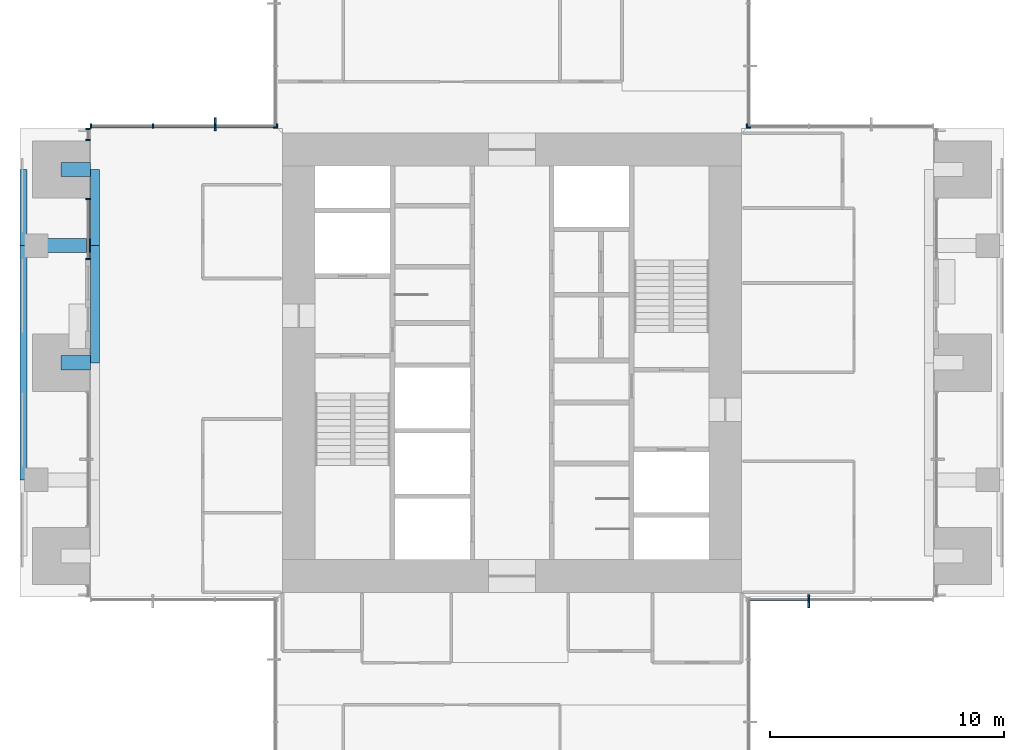
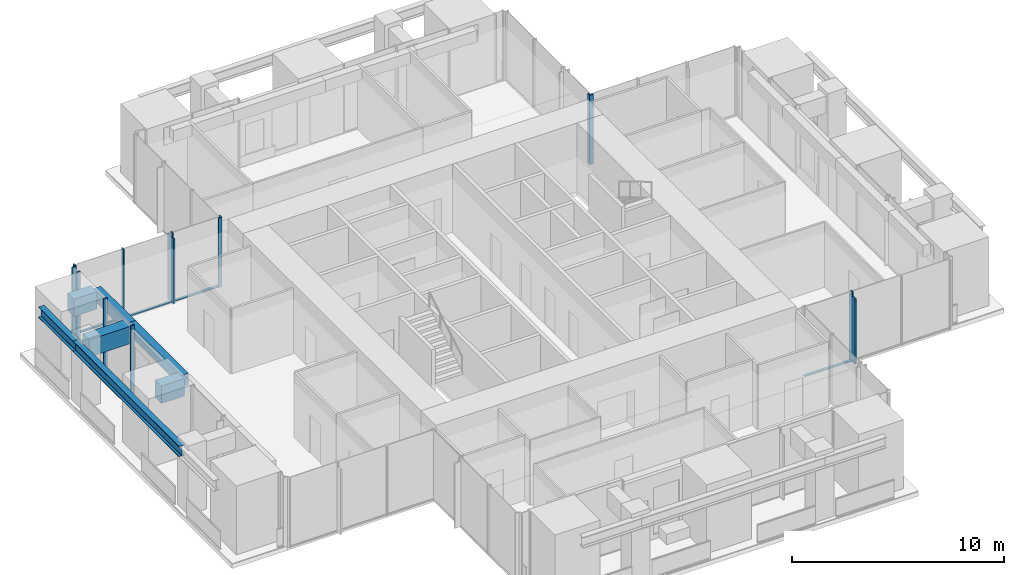
# One storey, part 3 of 17: 19 members, 7 beams, 7 elements without a shape of their own.
"""IFC4 building model written with IfcOpenShell, lengths in metres."""

from ifc_helpers import new_model, si_unit, direction, frame, origin, origin_2d, place, context, subcontext, project, spatial, rectangle, i_section, extrude, material, material_profile, profile_set, type_object, element, aggregate, save


model = new_model("IFC4")

# Units and contexts
model_context = context("Model", 3, precision=1e-05, world=origin(), true_north=direction((0.0, 1.0)))
body_context = subcontext(model_context, "Body", "Model", "MODEL_VIEW")
ifc_project = project(units=[si_unit("LENGTHUNIT", "METRE"), si_unit("AREAUNIT", "SQUARE_METRE"), si_unit("VOLUMEUNIT", "CUBIC_METRE"), si_unit("PLANEANGLEUNIT", "RADIAN"), si_unit("MASSUNIT", "GRAM", prefix="KILO")], contexts=[model_context])

# Site, building, storey
site_placement = place(None, origin())
site = spatial("IfcSite", under=ifc_project, at=site_placement, CompositionType="ELEMENT")
building_placement = place(site_placement, origin())
building = spatial("IfcBuilding", under=site, at=building_placement, Name="Svetlomir Tower", CompositionType="ELEMENT")
storey_placement = place(building_placement, frame((0.0, 0.0, 190.5)))
storey = spatial("IfcBuildingStorey", under=building, at=storey_placement, Name="L45", CompositionType="ELEMENT", Elevation=190.5)

# Curtain wall, member
ifc_material_1 = material(Name="Bronze anodised aluminium curtain wall", Category="aluminium")
curtain_wall_type = type_object("IfcCurtainWallType", Name="CURTAIN WALL CW1 TOWER OFFICE", PredefinedType="NOTDEFINED", material=ifc_material_1)
curtain_wall_1_placement = place(storey_placement, origin())
curtain_wall_1 = element("IfcCurtainWall", 1, at=curtain_wall_1_placement, inside=storey, type_object=curtain_wall_type, Name="Curtain wall CW1 L45", PredefinedType="NOTDEFINED")
ifc_material_2 = material(Name="Bronze anodised aluminium", Category="aluminium")
ifc_material_profile_1 = material_profile(ifc_material_2, rectangle(XDim=0.080078125, YDim=0.550048828125, at=origin_2d()), Name="FIN 80x550")
ifc_profile_set_1 = profile_set([ifc_material_profile_1], Name="Bronze anodised aluminium 6063-T6")
member_type_1 = type_object("IfcMemberType", Name="BRONZE FIN 80x550", PredefinedType="USERDEFINED", material=ifc_profile_set_1)
member_1_placement = place(storey_placement, frame((33.666748046875, 10.824951171875, 0.0), z_axis=(0.0, 0.0, 1.0), x_axis=(1.0, 0.0, 0.0)))
member_1 = element("IfcMember", 2, at=member_1_placement, type_object=member_type_1, Name="Bronze fin L45", ObjectType="FIN", PredefinedType="USERDEFINED", context=body_context, shape_type="SweptSolid", body=[
    extrude(rectangle(XDim=0.080078125, YDim=0.550048828125, at=origin_2d()), origin(), (0.0, 0.0, 1.0), 3.75),
])

curtain_wall_2_placement = place(storey_placement, origin())
curtain_wall_2 = element("IfcCurtainWall", 3, at=curtain_wall_2_placement, inside=storey, type_object=curtain_wall_type, Name="Curtain wall CW1 L45", PredefinedType="NOTDEFINED")
member_2_placement = place(storey_placement, frame((8.333251953125, 31.175048828125, 0.0), z_axis=(0.0, 0.0, 1.0), x_axis=(1.0, 0.0, 0.0)))
member_2 = element("IfcMember", 4, at=member_2_placement, type_object=member_type_1, Name="Bronze fin L45", ObjectType="FIN", PredefinedType="USERDEFINED", context=body_context, shape_type="SweptSolid", body=[
    extrude(rectangle(XDim=0.080078125, YDim=0.550048828125, at=origin_2d()), origin(), (0.0, 0.0, 1.0), 3.75),
])

# Member
ifc_material_3 = material(Name="Bronze anodised aluminium", Category="aluminium")
ifc_material_profile_2 = material_profile(ifc_material_3, rectangle(XDim=0.06494140625, YDim=0.199951171875, at=origin_2d()), Name="AL 65x200")
ifc_profile_set_2 = profile_set([ifc_material_profile_2], Name="Bronze anodised aluminium 6063-T6")
member_type_2 = type_object("IfcMemberType", Name="CW1 MULLION 65x200", PredefinedType="MULLION", material=ifc_profile_set_2)
member_3_placement = place(storey_placement, frame((33.666748046875, 10.89990234375, 0.0), z_axis=(0.0, 0.0, 1.0), x_axis=(1.0, 0.0, 0.0)))
member_3 = element("IfcMember", 5, at=member_3_placement, type_object=member_type_2, Name="CW1 mullion 2", PredefinedType="MULLION", context=body_context, shape_type="SweptSolid", body=[
    extrude(rectangle(XDim=0.06494140625, YDim=0.199951171875, at=origin_2d()), origin(), (0.0, 0.0, 1.0), 4.0),
])

# Curtain wall, member
curtain_wall_3_placement = place(storey_placement, origin())
curtain_wall_3 = element("IfcCurtainWall", 6, at=curtain_wall_3_placement, inside=storey, type_object=curtain_wall_type, Name="Curtain wall CW1 L45", PredefinedType="NOTDEFINED")
member_4_placement = place(storey_placement, frame((31.032470703125, 31.10009765625, 0.0), z_axis=(0.0, 0.0, 1.0), x_axis=(-1.0, 0.0, 0.0)))
member_4 = element("IfcMember", 7, at=member_4_placement, type_object=member_type_2, Name="CW1 mullion 4", PredefinedType="MULLION", context=body_context, shape_type="SweptSolid", body=[
    extrude(rectangle(XDim=0.06494140625, YDim=0.199951171875, at=origin_2d()), origin(), (0.0, 0.0, 1.0), 4.0),
])
aggregate(curtain_wall_3, [member_4])

curtain_wall_4_placement = place(storey_placement, origin())
curtain_wall_4 = element("IfcCurtainWall", 8, at=curtain_wall_4_placement, inside=storey, type_object=curtain_wall_type, Name="Curtain wall CW1 L45", PredefinedType="NOTDEFINED")
member_5_placement = place(storey_placement, frame((31.10009765625, 31.032470703125, 0.0), z_axis=(0.0, 0.0, 1.0), x_axis=(0.0, 1.0, 0.0)))
member_5 = element("IfcMember", 9, at=member_5_placement, type_object=member_type_2, Name="CW1 mullion 1", PredefinedType="MULLION", context=body_context, shape_type="SweptSolid", body=[
    extrude(rectangle(XDim=0.06494140625, YDim=0.199951171875, at=origin_2d()), origin(), (0.0, 0.0, 1.0), 4.0),
])
aggregate(curtain_wall_4, [member_5])

curtain_wall_5_placement = place(storey_placement, origin())
curtain_wall_5 = element("IfcCurtainWall", 10, at=curtain_wall_5_placement, inside=storey, type_object=curtain_wall_type, Name="Curtain wall CW1 L45", PredefinedType="NOTDEFINED")
member_6_placement = place(storey_placement, frame((10.89990234375, 31.032470703125, 0.0), z_axis=(0.0, 0.0, 1.0), x_axis=(0.0, -1.0, 0.0)))
member_6 = element("IfcMember", 11, at=member_6_placement, type_object=member_type_2, Name="CW1 mullion 4", PredefinedType="MULLION", context=body_context, shape_type="SweptSolid", body=[
    extrude(rectangle(XDim=0.06494140625, YDim=0.199951171875, at=origin_2d()), origin(), (0.0, 0.0, 1.0), 4.0),
])
aggregate(curtain_wall_5, [member_6])

# Member
member_7_placement = place(storey_placement, frame((10.967529296875, 31.10009765625, 0.0), z_axis=(0.0, 0.0, 1.0), x_axis=(-1.0, 0.0, 0.0)))
member_7 = element("IfcMember", 12, at=member_7_placement, type_object=member_type_2, Name="CW1 mullion 1", PredefinedType="MULLION", context=body_context, shape_type="SweptSolid", body=[
    extrude(rectangle(XDim=0.06494140625, YDim=0.199951171875, at=origin_2d()), origin(), (0.0, 0.0, 1.0), 4.0),
])

member_8_placement = place(storey_placement, frame((8.333251953125, 31.10009765625, 0.0), z_axis=(0.0, 0.0, 1.0), x_axis=(-1.0, 0.0, 0.0)))
member_8 = element("IfcMember", 13, at=member_8_placement, type_object=member_type_2, Name="CW1 mullion 2", PredefinedType="MULLION", context=body_context, shape_type="SweptSolid", body=[
    extrude(rectangle(XDim=0.06494140625, YDim=0.199951171875, at=origin_2d()), origin(), (0.0, 0.0, 1.0), 4.0),
])

member_9_placement = place(storey_placement, frame((5.666748046875, 31.10009765625, 0.0), z_axis=(0.0, 0.0, 1.0), x_axis=(-1.0, 0.0, 0.0)))
member_9 = element("IfcMember", 14, at=member_9_placement, type_object=member_type_2, Name="CW1 mullion 3", PredefinedType="MULLION", context=body_context, shape_type="SweptSolid", body=[
    extrude(rectangle(XDim=0.06494140625, YDim=0.199951171875, at=origin_2d()), origin(), (0.0, 0.0, 1.0), 4.0),
])

member_10_placement = place(storey_placement, frame((3.032470703125, 31.10009765625, 0.0), z_axis=(0.0, 0.0, 1.0), x_axis=(-1.0, 0.0, 0.0)))
member_10 = element("IfcMember", 15, at=member_10_placement, type_object=member_type_2, Name="CW1 mullion 4", PredefinedType="MULLION", context=body_context, shape_type="SweptSolid", body=[
    extrude(rectangle(XDim=0.06494140625, YDim=0.199951171875, at=origin_2d()), origin(), (0.0, 0.0, 1.0), 4.0),
])

# Curtain wall, members
curtain_wall_6_placement = place(storey_placement, origin())
curtain_wall_6 = element("IfcCurtainWall", 16, at=curtain_wall_6_placement, inside=storey, type_object=curtain_wall_type, Name="Curtain wall CW1 L45", PredefinedType="NOTDEFINED")
member_11_placement = place(storey_placement, frame((2.89990234375, 30.967529296875, 0.0), z_axis=(0.0, 0.0, 1.0), x_axis=(0.0, -1.0, 0.0)))
member_11 = element("IfcMember", 17, at=member_11_placement, type_object=member_type_2, Name="CW1 mullion 1", PredefinedType="MULLION", context=body_context, shape_type="SweptSolid", body=[
    extrude(rectangle(XDim=0.06494140625, YDim=0.199951171875, at=origin_2d()), origin(), (0.0, 0.0, 1.0), 4.0),
])
member_12_placement = place(storey_placement, frame((2.89990234375, 30.507568359375, 0.0), z_axis=(0.0, 0.0, 1.0), x_axis=(0.0, -1.0, 0.0)))
member_12 = element("IfcMember", 18, at=member_12_placement, type_object=member_type_2, Name="CW1 mullion 2", PredefinedType="MULLION", context=body_context, shape_type="SweptSolid", body=[
    extrude(rectangle(XDim=0.06494140625, YDim=0.199951171875, at=origin_2d()), origin(), (0.0, 0.0, 1.0), 4.0),
])
aggregate(curtain_wall_6, [member_11, member_12])

curtain_wall_7_placement = place(storey_placement, origin())
curtain_wall_7 = element("IfcCurtainWall", 19, at=curtain_wall_7_placement, inside=storey, type_object=curtain_wall_type, Name="Curtain wall CW1 L45", PredefinedType="NOTDEFINED")
member_13_placement = place(storey_placement, frame((2.89990234375, 27.992431640625, 0.0), z_axis=(0.0, 0.0, 1.0), x_axis=(0.0, -1.0, 0.0)))
member_13 = element("IfcMember", 20, at=member_13_placement, type_object=member_type_2, Name="CW1 mullion 1", PredefinedType="MULLION", context=body_context, shape_type="SweptSolid", body=[
    extrude(rectangle(XDim=0.06494140625, YDim=0.199951171875, at=origin_2d()), origin(), (0.0, 0.0, 1.0), 4.0),
])
member_14_placement = place(storey_placement, frame((2.89990234375, 25.4326171875, 0.0), z_axis=(0.0, 0.0, 1.0), x_axis=(0.0, -1.0, 0.0)))
member_14 = element("IfcMember", 21, at=member_14_placement, type_object=member_type_2, Name="CW1 mullion 2", PredefinedType="MULLION", context=body_context, shape_type="SweptSolid", body=[
    extrude(rectangle(XDim=0.06494140625, YDim=0.199951171875, at=origin_2d()), origin(), (0.0, 0.0, 1.0), 4.0),
])

# Member
ifc_material_4 = material(Name="Bronze anodised aluminium", Category="aluminium")
ifc_material_profile_3 = material_profile(ifc_material_4, rectangle(XDim=0.139892578125, YDim=0.06494140625, at=origin_2d()), Name="AL 140x65")
ifc_profile_set_3 = profile_set([ifc_material_profile_3], Name="Bronze anodised aluminium 6063-T6")
member_type_3 = type_object("IfcMemberType", Name="CW1 TRANSOM 65x140", PredefinedType="USERDEFINED", material=ifc_profile_set_3)
member_15_placement = place(storey_placement, frame((31.06494140625, 10.89990234375, 0.032470703125), z_axis=(1.0, 0.0, 0.0), x_axis=(0.0, 1.0, 0.0)))
member_15 = element("IfcMember", 22, at=member_15_placement, type_object=member_type_3, Name="CW1 transom 1.1", ObjectType="TRANSOM", PredefinedType="USERDEFINED", context=body_context, shape_type="SweptSolid", body=[
    extrude(rectangle(XDim=0.139892578125, YDim=0.06494140625, at=origin_2d()), origin(), (0.0, 0.0, 1.0), 2.5693359375),
])

aggregate(curtain_wall_1, [member_3, member_15, member_1])

member_16_placement = place(storey_placement, frame((10.93505859375, 31.10009765625, 0.032470703125), z_axis=(-1.0, 0.0, 0.0), x_axis=(0.0, -1.0, 0.0)))
member_16 = element("IfcMember", 23, at=member_16_placement, type_object=member_type_3, Name="CW1 transom 1.1", ObjectType="TRANSOM", PredefinedType="USERDEFINED", context=body_context, shape_type="SweptSolid", body=[
    extrude(rectangle(XDim=0.139892578125, YDim=0.06494140625, at=origin_2d()), origin(), (0.0, 0.0, 1.0), 2.5693359375),
])

member_17_placement = place(storey_placement, frame((8.30078125, 31.10009765625, 0.032470703125), z_axis=(-1.0, 0.0, 0.0), x_axis=(0.0, -1.0, 0.0)))
member_17 = element("IfcMember", 24, at=member_17_placement, type_object=member_type_3, Name="CW1 transom 2.1", ObjectType="TRANSOM", PredefinedType="USERDEFINED", context=body_context, shape_type="SweptSolid", body=[
    extrude(rectangle(XDim=0.139892578125, YDim=0.06494140625, at=origin_2d()), origin(), (0.0, 0.0, 1.0), 2.6015625),
])

member_18_placement = place(storey_placement, frame((5.63427734375, 31.10009765625, 0.032470703125), z_axis=(-1.0, 0.0, 0.0), x_axis=(0.0, -1.0, 0.0)))
member_18 = element("IfcMember", 25, at=member_18_placement, type_object=member_type_3, Name="CW1 transom 3.1", ObjectType="TRANSOM", PredefinedType="USERDEFINED", context=body_context, shape_type="SweptSolid", body=[
    extrude(rectangle(XDim=0.139892578125, YDim=0.06494140625, at=origin_2d()), origin(), (0.0, 0.0, 1.0), 2.5693359375),
])

aggregate(curtain_wall_2, [member_7, member_8, member_9, member_10, member_16, member_17, member_18, member_2])

member_19_placement = place(storey_placement, frame((2.89990234375, 27.9599609375, 0.032470703125), z_axis=(0.0, -1.0, 0.0), x_axis=(1.0, 0.0, 0.0)))
member_19 = element("IfcMember", 26, at=member_19_placement, type_object=member_type_3, Name="CW1 transom 1.1", ObjectType="TRANSOM", PredefinedType="USERDEFINED", context=body_context, shape_type="SweptSolid", body=[
    extrude(rectangle(XDim=0.139892578125, YDim=0.06494140625, at=origin_2d()), origin(), (0.0, 0.0, 1.0), 2.494873046875),
])

aggregate(curtain_wall_7, [member_13, member_14, member_19])

# Beams
ifc_material_5 = material(Name="Steel S355", Category="steel")
ifc_material_profile_4 = material_profile(ifc_material_5, i_section(OverallWidth=0.304931640625, OverallDepth=0.6201171875, WebThickness=0.02099609375, FlangeThickness=0.0400390625, FilletRadius=0.027099609375, at=origin_2d()), Name="HEM 600")
ifc_profile_set_4 = profile_set([ifc_material_profile_4], Name="Steel S355")
beam_type_1 = type_object("IfcBeamType", Name="EDGE BEAM HEM 600", PredefinedType="SPANDREL", material=ifc_profile_set_4)
beam_1_placement = place(storey_placement, frame((0.152587890625, 16.0, 3.43994140625), z_axis=(0.0, 1.0, 0.0), x_axis=(-1.0, 0.0, 0.0)))
element("IfcBeam", 27, at=beam_1_placement, inside=storey, type_object=beam_type_1, Name="Edge beam 0/16 to 0/26 under L46", PredefinedType="SPANDREL", context=body_context, shape_type="SweptSolid", body=[
    extrude(i_section(OverallWidth=0.304931640625, OverallDepth=0.6201171875, WebThickness=0.02099609375, FlangeThickness=0.0400390625, FilletRadius=0.027099609375, at=origin_2d()), origin(), (0.0, 0.0, 1.0), 10.0),
])
beam_2_placement = place(storey_placement, frame((0.152587890625, 26.0, 3.43994140625), z_axis=(0.0, 1.0, 0.0), x_axis=(-1.0, 0.0, 0.0)))
element("IfcBeam", 28, at=beam_2_placement, inside=storey, type_object=beam_type_1, Name="Edge beam 0/26 to 0/31 under L46", PredefinedType="SPANDREL", context=body_context, shape_type="SweptSolid", body=[
    extrude(i_section(OverallWidth=0.304931640625, OverallDepth=0.6201171875, WebThickness=0.02099609375, FlangeThickness=0.0400390625, FilletRadius=0.027099609375, at=origin_2d()), origin(), (0.0, 0.0, 1.0), 3.25),
])
ifc_material_6 = material(Name="Concrete C60/75", Category="concrete")
ifc_material_profile_5 = material_profile(ifc_material_6, rectangle(XDim=0.39990234375, YDim=0.64990234375, at=origin_2d()), Name="RC 400x650")
ifc_profile_set_5 = profile_set([ifc_material_profile_5], Name="Concrete C60/75")
beam_type_2 = type_object("IfcBeamType", Name="FACADE EDGE BEAM RC 400x650", PredefinedType="BEAM", material=ifc_profile_set_5)
beam_3_placement = place(storey_placement, frame((3.199951171875, 21.0, 3.425048828125), z_axis=(0.0, 1.0, 0.0), x_axis=(-1.0, 0.0, 0.0)))
element("IfcBeam", 29, at=beam_3_placement, inside=storey, type_object=beam_type_2, Name="Facade edge beam W 21 to 26 under L46", PredefinedType="BEAM", context=body_context, shape_type="SweptSolid", body=[
    extrude(rectangle(XDim=0.39990234375, YDim=0.64990234375, at=origin_2d()), origin(), (0.0, 0.0, 1.0), 5.0),
])
beam_4_placement = place(storey_placement, frame((3.199951171875, 26.0, 3.425048828125), z_axis=(0.0, 1.0, 0.0), x_axis=(-1.0, 0.0, 0.0)))
element("IfcBeam", 30, at=beam_4_placement, inside=storey, type_object=beam_type_2, Name="Facade edge beam W 26 to 31 under L46", PredefinedType="BEAM", context=body_context, shape_type="SweptSolid", body=[
    extrude(rectangle(XDim=0.39990234375, YDim=0.64990234375, at=origin_2d()), origin(), (0.0, 0.0, 1.0), 3.25),
])
ifc_material_7 = material(Name="Concrete C60/75", Category="concrete")
ifc_material_profile_6 = material_profile(ifc_material_7, rectangle(XDim=0.60009765625, YDim=1.0, at=origin_2d()), Name="RC 600x1000")
ifc_profile_set_6 = profile_set([ifc_material_profile_6], Name="Concrete C60/75")
beam_type_3 = type_object("IfcBeamType", Name="LOGGIA LINK BEAM RC 600x1000", PredefinedType="BEAM", material=ifc_profile_set_6)
beam_5_placement = place(storey_placement, frame((1.75, 21.0, 3.25), z_axis=(1.0, 0.0, 0.0), x_axis=(0.0, 1.0, 0.0)))
element("IfcBeam", 31, at=beam_5_placement, inside=storey, type_object=beam_type_3, Name="Loggia link beam W 21 under L46", PredefinedType="BEAM", context=body_context, shape_type="SweptSolid", body=[
    extrude(rectangle(XDim=0.60009765625, YDim=1.0, at=origin_2d()), origin(), (0.0, 0.0, 1.0), 1.25),
])
beam_6_placement = place(storey_placement, frame((0.699951171875, 26.0, 3.25), z_axis=(1.0, 0.0, 0.0), x_axis=(0.0, 1.0, 0.0)))
element("IfcBeam", 32, at=beam_6_placement, inside=storey, type_object=beam_type_3, Name="Loggia link beam W 26 under L46", PredefinedType="BEAM", context=body_context, shape_type="SweptSolid", body=[
    extrude(rectangle(XDim=0.60009765625, YDim=1.0, at=origin_2d()), origin(), (0.0, 0.0, 1.0), 2.300048828125),
])
beam_7_placement = place(storey_placement, frame((1.75, 29.25, 3.25), z_axis=(1.0, 0.0, 0.0), x_axis=(0.0, 1.0, 0.0)))
element("IfcBeam", 33, at=beam_7_placement, inside=storey, type_object=beam_type_3, Name="Loggia link beam W 31 under L46", PredefinedType="BEAM", context=body_context, shape_type="SweptSolid", body=[
    extrude(rectangle(XDim=0.60009765625, YDim=1.0, at=origin_2d()), origin(), (0.0, 0.0, 1.0), 1.25),
])

save(model, "model.ifc")
